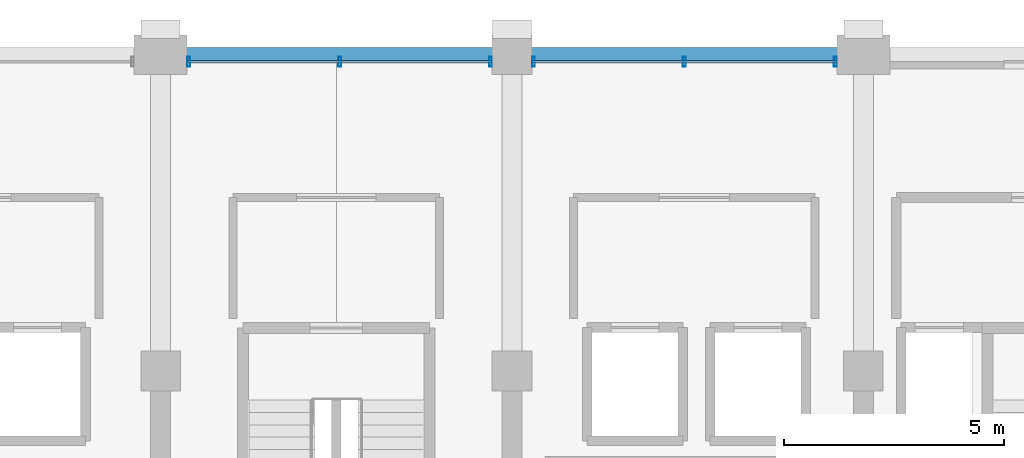
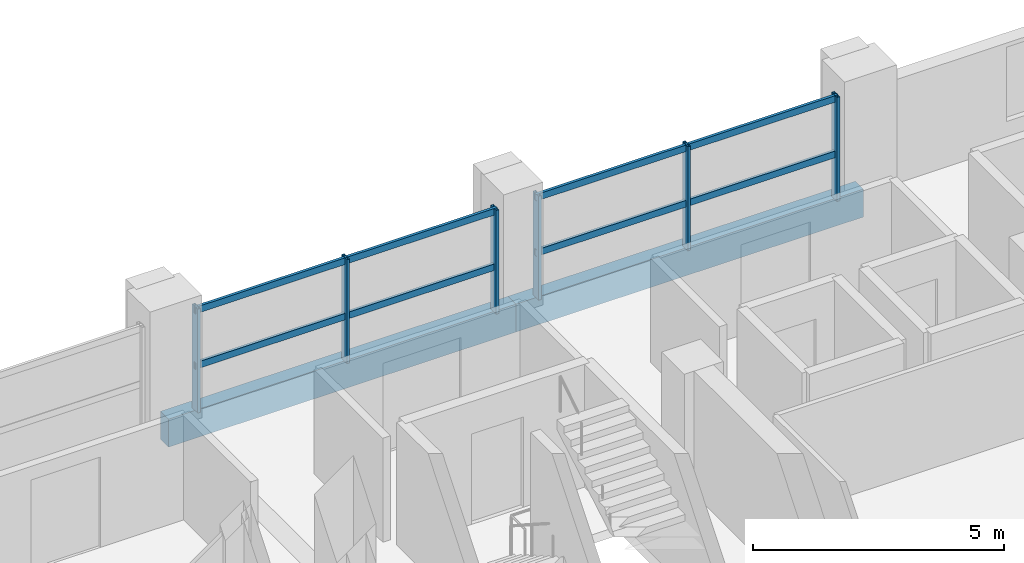
# One storey, part 12 of 21: 10 members, 2 beams, 2 elements without a shape of their own.
"""IFC4 building model written with IfcOpenShell, lengths in metres."""

from ifc_helpers import new_model, si_unit, direction, frame, origin, origin_2d, place, context, subcontext, project, spatial, rectangle, hollow_rectangle, extrude, material, material_profile, profile_set, type_object, element, aggregate, save


model = new_model("IFC4")

# Units and contexts
model_context = context("Model", 3, precision=1e-05, world=origin(), true_north=direction((0.0, 1.0)))
body_context = subcontext(model_context, "Body", "Model", "MODEL_VIEW")
ifc_project = project(units=[si_unit("LENGTHUNIT", "METRE"), si_unit("AREAUNIT", "SQUARE_METRE"), si_unit("VOLUMEUNIT", "CUBIC_METRE"), si_unit("PLANEANGLEUNIT", "RADIAN"), si_unit("MASSUNIT", "GRAM", prefix="KILO")], contexts=[model_context])

# Site, building, storey
site_placement = place(None, origin())
site = spatial("IfcSite", under=ifc_project, at=site_placement, CompositionType="ELEMENT")
building_placement = place(site_placement, origin())
building = spatial("IfcBuilding", under=site, at=building_placement, Name="Akrevak Sports Hall", CompositionType="ELEMENT")
storey_placement = place(building_placement, frame((0.0, 0.0, 27.550048828125)))
storey = spatial("IfcBuildingStorey", under=building, at=storey_placement, Name="L05", CompositionType="ELEMENT", Elevation=27.550048828125)

# Curtain wall, members
ifc_material_1 = material(Name="Anodized Bronze Aluminium & Low-E Glass", Category="aluminium")
curtain_wall_type = type_object("IfcCurtainWallType", Name="ARC-CW-TWR-68x30", PredefinedType="NOTDEFINED", material=ifc_material_1)
curtain_wall_1_placement = place(storey_placement, origin())
curtain_wall_1 = element("IfcCurtainWall", 1, at=curtain_wall_1_placement, inside=storey, type_object=curtain_wall_type, Name="Curtain Wall CW-L05-N22", PredefinedType="NOTDEFINED")
ifc_material_2 = material(Name="Anodized Bronze Aluminium", Category="aluminium")
ifc_material_profile_1 = material_profile(ifc_material_2, hollow_rectangle(XDim=0.06494140625, YDim=0.219970703125, WallThickness=0.00439453125, at=origin_2d()), Name="CWM 65x220", Category="aluminium")
ifc_profile_set_1 = profile_set([ifc_material_profile_1], Name="Anodized Bronze Aluminium")
member_type_1 = type_object("IfcMemberType", Name="ARC-CWM-70x160", PredefinedType="MULLION", material=ifc_profile_set_1)
member_1_placement = place(storey_placement, frame((91.360107421875, 69.43994140625, 0.0), z_axis=(0.0, 0.0, 1.0), x_axis=(-1.0, 0.0, 0.0)))
member_1 = element("IfcMember", 2, at=member_1_placement, type_object=member_type_1, Name="Curtain Wall Mullion CW-L05-N22-M1", PredefinedType="MULLION", context=body_context, shape_type="SweptSolid", body=[
    extrude(hollow_rectangle(XDim=0.06494140625, YDim=0.219970703125, WallThickness=0.00439453125, at=origin_2d()), origin(), (0.0, 0.0, 1.0), 2.530029296875),
])
member_2_placement = place(storey_placement, frame((87.925048828125, 69.43994140625, 0.0), z_axis=(0.0, 0.0, 1.0), x_axis=(-1.0, 0.0, 0.0)))
member_2 = element("IfcMember", 3, at=member_2_placement, type_object=member_type_1, Name="Curtain Wall Mullion CW-L05-N22-M2", PredefinedType="MULLION", context=body_context, shape_type="SweptSolid", body=[
    extrude(hollow_rectangle(XDim=0.06494140625, YDim=0.219970703125, WallThickness=0.00439453125, at=origin_2d()), origin(), (0.0, 0.0, 1.0), 2.530029296875),
])
member_3_placement = place(storey_placement, frame((84.489990234375, 69.43994140625, 0.0), z_axis=(0.0, 0.0, 1.0), x_axis=(-1.0, 0.0, 0.0)))
member_3 = element("IfcMember", 4, at=member_3_placement, type_object=member_type_1, Name="Curtain Wall Mullion CW-L05-N22-M3", PredefinedType="MULLION", context=body_context, shape_type="SweptSolid", body=[
    extrude(hollow_rectangle(XDim=0.06494140625, YDim=0.219970703125, WallThickness=0.00439453125, at=origin_2d()), origin(), (0.0, 0.0, 1.0), 2.530029296875),
])

curtain_wall_2_placement = place(storey_placement, origin())
curtain_wall_2 = element("IfcCurtainWall", 5, at=curtain_wall_2_placement, inside=storey, type_object=curtain_wall_type, Name="Curtain Wall CW-L05-N23", PredefinedType="NOTDEFINED")
member_4_placement = place(storey_placement, frame((83.510009765625, 69.43994140625, 0.0), z_axis=(0.0, 0.0, 1.0), x_axis=(-1.0, 0.0, 0.0)))
member_4 = element("IfcMember", 6, at=member_4_placement, type_object=member_type_1, Name="Curtain Wall Mullion CW-L05-N23-M1", PredefinedType="MULLION", context=body_context, shape_type="SweptSolid", body=[
    extrude(hollow_rectangle(XDim=0.06494140625, YDim=0.219970703125, WallThickness=0.00439453125, at=origin_2d()), origin(), (0.0, 0.0, 1.0), 2.530029296875),
])
member_5_placement = place(storey_placement, frame((80.074951171875, 69.43994140625, 0.0), z_axis=(0.0, 0.0, 1.0), x_axis=(-1.0, 0.0, 0.0)))
member_5 = element("IfcMember", 7, at=member_5_placement, type_object=member_type_1, Name="Curtain Wall Mullion CW-L05-N23-M2", PredefinedType="MULLION", context=body_context, shape_type="SweptSolid", body=[
    extrude(hollow_rectangle(XDim=0.06494140625, YDim=0.219970703125, WallThickness=0.00439453125, at=origin_2d()), origin(), (0.0, 0.0, 1.0), 2.530029296875),
])
member_6_placement = place(storey_placement, frame((76.639892578125, 69.43994140625, 0.0), z_axis=(0.0, 0.0, 1.0), x_axis=(-1.0, 0.0, 0.0)))
member_6 = element("IfcMember", 8, at=member_6_placement, type_object=member_type_1, Name="Curtain Wall Mullion CW-L05-N23-M3", PredefinedType="MULLION", context=body_context, shape_type="SweptSolid", body=[
    extrude(hollow_rectangle(XDim=0.06494140625, YDim=0.219970703125, WallThickness=0.00439453125, at=origin_2d()), origin(), (0.0, 0.0, 1.0), 2.530029296875),
])

# Member
ifc_material_profile_2 = material_profile(ifc_material_2, hollow_rectangle(XDim=0.06494140625, YDim=0.159912109375, WallThickness=0.00390625, at=origin_2d()), Name="CWT 65x160", Category="aluminium")
ifc_profile_set_2 = profile_set([ifc_material_profile_2], Name="Anodized Bronze Aluminium")
member_type_2 = type_object("IfcMemberType", Name="ARC-CWT-70x130", PredefinedType="USERDEFINED", material=ifc_profile_set_2)
member_7_placement = place(storey_placement, frame((91.39990234375, 69.43994140625, 1.099853515625), z_axis=(-1.0, 0.0, 0.0), x_axis=(0.0, -1.0, 0.0)))
member_7 = element("IfcMember", 9, at=member_7_placement, type_object=member_type_2, Name="Curtain Wall Transom CW-L05-N22-T1", ObjectType="TRANSOM", PredefinedType="USERDEFINED", context=body_context, shape_type="SweptSolid", body=[
    extrude(hollow_rectangle(XDim=0.06494140625, YDim=0.159912109375, WallThickness=0.00390625, at=origin_2d()), origin(), (0.0, 0.0, 1.0), 6.949951171875),
])

member_8_placement = place(storey_placement, frame((91.39990234375, 69.43994140625, 2.449951171875), z_axis=(-1.0, 0.0, 0.0), x_axis=(0.0, -1.0, 0.0)))
member_8 = element("IfcMember", 10, at=member_8_placement, type_object=member_type_2, Name="Curtain Wall Transom CW-L05-N22-T2", ObjectType="TRANSOM", PredefinedType="USERDEFINED", context=body_context, shape_type="SweptSolid", body=[
    extrude(hollow_rectangle(XDim=0.06494140625, YDim=0.159912109375, WallThickness=0.00390625, at=origin_2d()), origin(), (0.0, 0.0, 1.0), 6.949951171875),
])

aggregate(curtain_wall_1, [member_1, member_2, member_3, member_7, member_8])

member_9_placement = place(storey_placement, frame((83.550048828125, 69.43994140625, 1.099853515625), z_axis=(-1.0, 0.0, 0.0), x_axis=(0.0, -1.0, 0.0)))
member_9 = element("IfcMember", 11, at=member_9_placement, type_object=member_type_2, Name="Curtain Wall Transom CW-L05-N23-T1", ObjectType="TRANSOM", PredefinedType="USERDEFINED", context=body_context, shape_type="SweptSolid", body=[
    extrude(hollow_rectangle(XDim=0.06494140625, YDim=0.159912109375, WallThickness=0.00390625, at=origin_2d()), origin(), (0.0, 0.0, 1.0), 6.949951171875),
])

member_10_placement = place(storey_placement, frame((83.550048828125, 69.43994140625, 2.449951171875), z_axis=(-1.0, 0.0, 0.0), x_axis=(0.0, -1.0, 0.0)))
member_10 = element("IfcMember", 12, at=member_10_placement, type_object=member_type_2, Name="Curtain Wall Transom CW-L05-N23-T2", ObjectType="TRANSOM", PredefinedType="USERDEFINED", context=body_context, shape_type="SweptSolid", body=[
    extrude(hollow_rectangle(XDim=0.06494140625, YDim=0.159912109375, WallThickness=0.00390625, at=origin_2d()), origin(), (0.0, 0.0, 1.0), 6.949951171875),
])

aggregate(curtain_wall_2, [member_4, member_5, member_6, member_9, member_10])

# Beams
ifc_material_3 = material(Name="Concrete C40/50", Category="concrete")
ifc_material_profile_3 = material_profile(ifc_material_3, rectangle(XDim=0.320068359375, YDim=0.679931640625, at=origin_2d()), Name="SPD 320x680", Category="concrete")
ifc_profile_set_3 = profile_set([ifc_material_profile_3], Name="Concrete C40/50")
beam_type = type_object("IfcBeamType", Name="STR-SPD-RC320x680", PredefinedType="SPANDREL", material=ifc_profile_set_3)
for number, where, z_axis, x_axis, name in (
    (13, (76.0, 69.60009765625, -0.340087890625), (1.0, 0.0, 0.0), (0.0, 1.0, 0.0), "Girder K/11-12 (L05)"),
    (14, (84.0, 69.60009765625, -0.340087890625), (1.0, 0.0, 0.0), (0.0, 1.0, 0.0), "Girder K/12-13 (L05)"),
):
    element("IfcBeam", number, at=place(storey_placement, frame(where, z_axis=z_axis, x_axis=x_axis)), inside=storey, type_object=beam_type, Name=name, PredefinedType="SPANDREL", context=body_context, shape_type="SweptSolid", body=[
        extrude(rectangle(XDim=0.320068359375, YDim=0.679931640625, at=origin_2d()), origin(), (0.0, 0.0, 1.0), 8.0),
    ])

save(model, "model.ifc")
